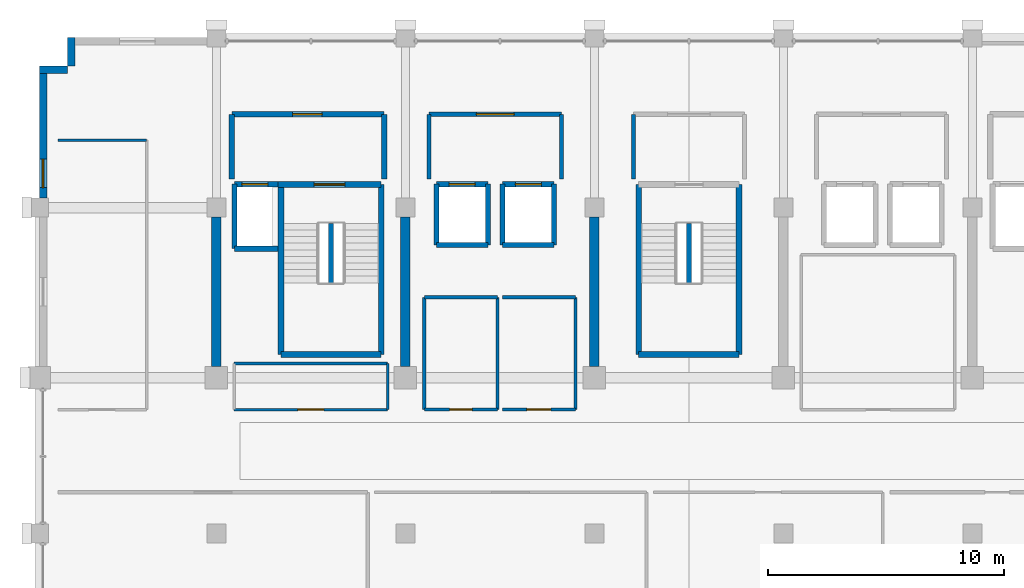
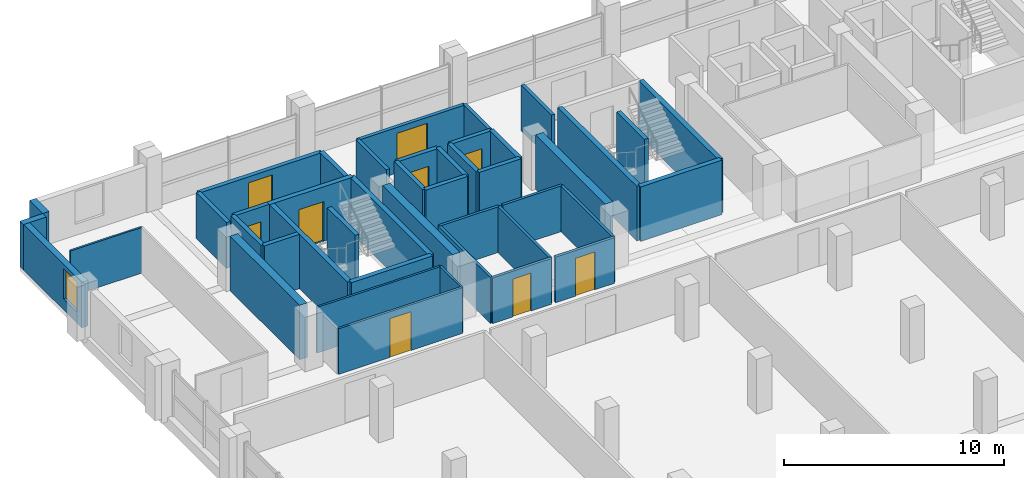
# One storey, part 20 of 23: 44 walls, 9 doors, 1 window, 10 openings.
"""IFC4 building model written with IfcOpenShell, lengths in metres."""

from ifc_helpers import new_model, si_unit, direction, frame, frame_2d, origin, place, context, subcontext, project, spatial, rectangle, extrude, material, layer, layer_set, type_object, element, fill, save


model = new_model("IFC4")

# Units and contexts
model_context = context("Model", 3, precision=1e-05, world=origin(), true_north=direction((0.0, 1.0)))
body_context = subcontext(model_context, "Body", "Model", "MODEL_VIEW")
ifc_project = project(units=[si_unit("LENGTHUNIT", "METRE"), si_unit("AREAUNIT", "SQUARE_METRE"), si_unit("VOLUMEUNIT", "CUBIC_METRE"), si_unit("PLANEANGLEUNIT", "RADIAN"), si_unit("MASSUNIT", "GRAM", prefix="KILO")], contexts=[model_context])

# Site, building, storey
site_placement = place(None, origin())
site = spatial("IfcSite", under=ifc_project, at=site_placement, CompositionType="ELEMENT")
building_placement = place(site_placement, origin())
building = spatial("IfcBuilding", under=site, at=building_placement, Name="Akrevak Sports Hall", CompositionType="ELEMENT")
storey_placement = place(building_placement, frame((0.0, 0.0, 47.050048828125)))
storey = spatial("IfcBuildingStorey", under=building, at=storey_placement, Name="L11", CompositionType="ELEMENT", Elevation=47.050048828125)

# Walls
ifc_material_1 = material(Name="Limestone Ashlar", Category="stone")
ifc_layer_1 = layer(ifc_material_1, 0.070068359375, Name="Limestone Ashlar")
ifc_material_2 = material(Name="Mineral Wool Thermal Insulation", Category="insulation")
ifc_layer_2 = layer(ifc_material_2, 0.090087890625, Name="Mineral Wool Thermal Insulation")
ifc_material_3 = material(Name="Concrete C40/50", Category="concrete")
ifc_layer_3 = layer(ifc_material_3, 0.159912109375, Name="Concrete C40/50")
ifc_layer_set_1 = layer_set([ifc_layer_1, ifc_layer_2, ifc_layer_3], Name="Limestone Ashlar / Mineral Wool Thermal Insulation / Concrete C40/50")
wall_type_1 = type_object("IfcWallType", Name="ARC-WL-EXT-320", PredefinedType="SOLIDWALL", material=ifc_layer_set_1)
wall_1_placement = place(storey_placement, frame((53.860107421875, 69.60009765625, 0.0), z_axis=(0.0, 0.0, 1.0), x_axis=(0.0, -1.0, 0.0)))
element("IfcWall", 1, at=wall_1_placement, inside=storey, type_object=wall_type_1, Name="Tower Stone Facade Wall L11-W26", PredefinedType="SOLIDWALL", context=body_context, shape_type="SweptSolid", body=[
    extrude(rectangle(XDim=1.2001953125, YDim=0.320068359375, at=frame_2d((0.60009765625, 0.0))), origin(), (0.0, 0.0, 1.0), 2.530029296875),
])
wall_2_placement = place(storey_placement, frame((53.699951171875, 68.239990234375, 0.0), z_axis=(0.0, 0.0, 1.0), x_axis=(-1.0, 0.0, 0.0)))
element("IfcWall", 2, at=wall_2_placement, inside=storey, type_object=wall_type_1, Name="Tower Stone Facade Wall L11-N27", PredefinedType="SOLIDWALL", context=body_context, shape_type="SweptSolid", body=[
    extrude(rectangle(XDim=1.199951171875, YDim=0.320068359375, at=frame_2d((0.60009765625, 0.0))), origin(), (0.0, 0.0, 1.0), 2.530029296875),
])

# Wall, opening, window
wall_3_placement = place(storey_placement, frame((52.659912109375, 68.39990234375, 0.0), z_axis=(0.0, 0.0, 1.0), x_axis=(0.0, -1.0, 0.0)))
wall_3 = element("IfcWall", 3, at=wall_3_placement, inside=storey, type_object=wall_type_1, Name="Tower Stone Facade Wall L11-W28", PredefinedType="SOLIDWALL", context=body_context, shape_type="SweptSolid", body=[
    extrude(rectangle(XDim=5.599853515625, YDim=0.320068359375, at=frame_2d((2.7998046875, 0.0))), origin(), (0.0, 0.0, 1.0), 2.530029296875),
])
opening_1_placement = place(wall_3_placement, frame((3.949951171875, 0.0, 0.6201171875)))
opening_1 = element("IfcOpeningElement", 4, at=opening_1_placement, cuts=wall_3, Name="Opening WN-45", PredefinedType="OPENING", context=body_context, shape_type="SweptSolid", body=[
    extrude(rectangle(XDim=1.199951171875, YDim=1.64990234375, at=frame_2d((0.60009765625, 0.824951171875))), frame((0.0, 0.171875, 0.0), z_axis=(0.0, -1.0, 0.0), x_axis=(1.0, 0.0, 0.0)), (0.0, 0.0, 1.0), 0.343994140625),
])
ifc_material_4 = material(Name="Thermally Broken Bronze Frame & Double Low-E Glass", Category="glass")
window_type = type_object("IfcWindowType", Name="ARC-WIN-SZ-1200x1650", PartitioningType="SINGLE_PANEL", PredefinedType="WINDOW", material=ifc_material_4)
window_placement = place(opening_1_placement, origin())
window = element("IfcWindow", 5, at=window_placement, inside=storey, type_object=window_type, Name="Tower Window L11-W28", OverallHeight=1.64990234375, OverallWidth=1.199951171875, PartitioningType="SINGLE_PANEL", PredefinedType="WINDOW", context=body_context, shape_type="SweptSolid", body=[
    extrude(rectangle(XDim=1.199951171875, YDim=1.64990234375, at=frame_2d((0.60009765625, 0.824951171875))), frame((0.0, 0.030029296875, 0.0), z_axis=(0.0, -1.0, 0.0), x_axis=(1.0, 0.0, 0.0)), (0.0, 0.0, 1.0), 0.06005859375),
])
fill(opening_1, window)

# Wall
ifc_material_5 = material(Name="Sanitary Cubicle Partition", Category="gypsum")
ifc_layer_4 = layer(ifc_material_5, 0.10009765625, Name="Sanitary Cubicle Partition")
ifc_layer_set_2 = layer_set([ifc_layer_4], Name="Sanitary Cubicle Partition")
wall_type_2 = type_object("IfcWallType", Name="ARC-WL-PRT-100", PredefinedType="PARTITIONING", material=ifc_layer_set_2)
wall_4_placement = place(storey_placement, frame((53.300048828125, 65.25, 0.0), z_axis=(0.0, 0.0, 1.0), x_axis=(1.0, 0.0, 0.0)))
element("IfcWall", 6, at=wall_4_placement, inside=storey, type_object=wall_type_2, Name="Interior Partition Federation Research Office L11-W1 (N)", PredefinedType="PARTITIONING", context=body_context, shape_type="SweptSolid", body=[
    extrude(rectangle(XDim=3.75, YDim=0.10009765625, at=frame_2d((1.875, 0.0))), origin(), (0.0, 0.0, 1.0), 2.530029296875),
])

# Wall, opening, door
ifc_material_6 = material(Name="Lightweight Office Partition", Category="gypsum")
ifc_layer_5 = layer(ifc_material_6, 0.110107421875, Name="Lightweight Office Partition")
ifc_layer_set_3 = layer_set([ifc_layer_5], Name="Lightweight Office Partition")
wall_type_3 = type_object("IfcWallType", Name="ARC-WL-PRT-110", PredefinedType="PARTITIONING", material=ifc_layer_set_3)
wall_5_placement = place(storey_placement, frame((60.75, 53.85009765625, 0.0), z_axis=(0.0, 0.0, 1.0), x_axis=(1.0, 0.0, 0.0)))
wall_5 = element("IfcWall", 7, at=wall_5_placement, inside=storey, type_object=wall_type_3, Name="Interior Partition Federation Technical Office L11-CW (S)", PredefinedType="PARTITIONING", context=body_context, shape_type="SweptSolid", body=[
    extrude(rectangle(XDim=6.5, YDim=0.110107421875, at=frame_2d((3.25, 0.0))), origin(), (0.0, 0.0, 1.0), 2.530029296875),
])
opening_2_placement = place(wall_5_placement, frame((2.699951171875, 0.0, 0.0)))
opening_2 = element("IfcOpeningElement", 8, at=opening_2_placement, cuts=wall_5, Name="Opening ID-04", PredefinedType="OPENING", context=body_context, shape_type="SweptSolid", body=[
    extrude(rectangle(XDim=1.10009765625, YDim=2.14990234375, at=frame_2d((0.550048828125, 1.074951171875))), frame((0.0, 0.06689453125, 0.0), z_axis=(0.0, -1.0, 0.0), x_axis=(1.0, 0.0, 0.0)), (0.0, 0.0, 1.0), 0.134033203125),
])
ifc_material_7 = material(Name="Hardwood Oak Acoustic Leaf", Category="wood")
door_type_1 = type_object("IfcDoorType", Name="ARC-DR-OFF-110x215", OperationType="NOTDEFINED", PredefinedType="DOOR", material=ifc_material_7)
door_1_placement = place(opening_2_placement, frame((1.10009765625, 0.0, 0.0), z_axis=(0.0, 0.0, 1.0), x_axis=(-1.0, 0.0, 0.0)))
door_1 = element("IfcDoor", 9, at=door_1_placement, inside=storey, type_object=door_type_1, Name="Door to Federation Technical Office L11-CW", OperationType="SINGLE_SWING_RIGHT", OverallHeight=2.14990234375, OverallWidth=1.10009765625, PredefinedType="DOOR", context=body_context, shape_type="SweptSolid", body=[
    extrude(rectangle(XDim=1.10009765625, YDim=2.14990234375, at=frame_2d((0.550048828125, 1.074951171875))), frame((0.0, 0.02490234375, 0.0), z_axis=(0.0, -1.0, 0.0), x_axis=(1.0, 0.0, 0.0)), (0.0, 0.0, 1.0), 0.050048828125),
])
fill(opening_2, door_1)

# Walls
wall_6_placement = place(storey_placement, frame((60.75, 55.800048828125, 0.0), z_axis=(0.0, 0.0, 1.0), x_axis=(1.0, 0.0, 0.0)))
element("IfcWall", 10, at=wall_6_placement, inside=storey, type_object=wall_type_3, Name="Interior Partition Federation Technical Office L11-CW (N)", PredefinedType="PARTITIONING", context=body_context, shape_type="SweptSolid", body=[
    extrude(rectangle(XDim=6.5, YDim=0.110107421875, at=frame_2d((3.25, 0.0))), origin(), (0.0, 0.0, 1.0), 2.530029296875),
])
wall_7_placement = place(storey_placement, frame((67.25, 53.85009765625, 0.0), z_axis=(0.0, 0.0, 1.0), x_axis=(0.0, 1.0, 0.0)))
element("IfcWall", 11, at=wall_7_placement, inside=storey, type_object=wall_type_3, Name="Interior Partition Federation Technical Office L11-CW (E)", PredefinedType="PARTITIONING", context=body_context, shape_type="SweptSolid", body=[
    extrude(rectangle(XDim=1.949951171875, YDim=0.110107421875, at=frame_2d((0.97509765625, 0.0))), origin(), (0.0, 0.0, 1.0), 2.530029296875),
])

# Wall, opening, door
ifc_material_8 = material(Name="Moisture-Resistant Wet-Area Partition", Category="gypsum")
ifc_layer_6 = layer(ifc_material_8, 0.139892578125, Name="Moisture-Resistant Wet-Area Partition")
ifc_layer_set_4 = layer_set([ifc_layer_6], Name="Moisture-Resistant Wet-Area Partition")
wall_type_4 = type_object("IfcWallType", Name="ARC-WL-PRT-140", PredefinedType="PARTITIONING", material=ifc_layer_set_4)
wall_8_placement = place(storey_placement, frame((68.800048828125, 53.85009765625, 0.0), z_axis=(0.0, 0.0, 1.0), x_axis=(1.0, 0.0, 0.0)))
wall_8 = element("IfcWall", 12, at=wall_8_placement, inside=storey, type_object=wall_type_4, Name="Interior Partition Men WC L11 (S)", PredefinedType="PARTITIONING", context=body_context, shape_type="SweptSolid", body=[
    extrude(rectangle(XDim=3.099853515625, YDim=0.139892578125, at=frame_2d((1.5498046875, 0.0))), origin(), (0.0, 0.0, 1.0), 2.530029296875),
])
opening_3_placement = place(wall_8_placement, frame((1.074951171875, 0.0, 0.0)))
opening_3 = element("IfcOpeningElement", 13, at=opening_3_placement, cuts=wall_8, Name="Opening ID-08", PredefinedType="OPENING", context=body_context, shape_type="SweptSolid", body=[
    extrude(rectangle(XDim=0.949951171875, YDim=2.10009765625, at=frame_2d((0.47509765625, 1.050048828125))), frame((0.0, 0.08203125, 0.0), z_axis=(0.0, -1.0, 0.0), x_axis=(1.0, 0.0, 0.0)), (0.0, 0.0, 1.0), 0.163818359375),
])
ifc_material_9 = material(Name="High-Pressure Laminate & Aluminium", Category="aluminium")
door_type_2 = type_object("IfcDoorType", Name="ARC-DR-WC-095x210", OperationType="NOTDEFINED", PredefinedType="DOOR", material=ifc_material_9)
door_2_placement = place(opening_3_placement, frame((0.949951171875, 0.0, 0.0), z_axis=(0.0, 0.0, 1.0), x_axis=(-1.0, 0.0, 0.0)))
door_2 = element("IfcDoor", 14, at=door_2_placement, inside=storey, type_object=door_type_2, Name="Door to Men WC L11", OperationType="SINGLE_SWING_RIGHT", OverallHeight=2.10009765625, OverallWidth=0.949951171875, PredefinedType="DOOR", context=body_context, shape_type="SweptSolid", body=[
    extrude(rectangle(XDim=0.949951171875, YDim=2.10009765625, at=frame_2d((0.47509765625, 1.050048828125))), frame((0.0, 0.02490234375, 0.0), z_axis=(0.0, -1.0, 0.0), x_axis=(1.0, 0.0, 0.0)), (0.0, 0.0, 1.0), 0.050048828125),
])
fill(opening_3, door_2)

# Walls
wall_9_placement = place(storey_placement, frame((68.800048828125, 58.60009765625, 0.0), z_axis=(0.0, 0.0, 1.0), x_axis=(1.0, 0.0, 0.0)))
element("IfcWall", 15, at=wall_9_placement, inside=storey, type_object=wall_type_4, Name="Interior Partition Men WC L11 (N)", PredefinedType="PARTITIONING", context=body_context, shape_type="SweptSolid", body=[
    extrude(rectangle(XDim=3.099853515625, YDim=0.139892578125, at=frame_2d((1.5498046875, 0.0))), origin(), (0.0, 0.0, 1.0), 2.530029296875),
])
for number, where, z_axis, x_axis, name in (
    (16, (68.800048828125, 53.85009765625, 0.0), (0.0, 0.0, 1.0), (0.0, 1.0, 0.0), "Interior Partition Men WC L11 (W)"),
    (17, (71.89990234375, 53.85009765625, 0.0), (0.0, 0.0, 1.0), (0.0, 1.0, 0.0), "Interior Partition Men WC L11 (E)"),
):
    element("IfcWall", number, at=place(storey_placement, frame(where, z_axis=z_axis, x_axis=x_axis)), inside=storey, type_object=wall_type_4, Name=name, PredefinedType="PARTITIONING", context=body_context, shape_type="SweptSolid", body=[
        extrude(rectangle(XDim=4.75, YDim=0.139892578125, at=frame_2d((2.375, 0.0))), origin(), (0.0, 0.0, 1.0), 2.530029296875),
    ])

# Wall, opening, door
wall_10_placement = place(storey_placement, frame((72.10009765625, 53.85009765625, 0.0), z_axis=(0.0, 0.0, 1.0), x_axis=(1.0, 0.0, 0.0)))
wall_10 = element("IfcWall", 18, at=wall_10_placement, inside=storey, type_object=wall_type_4, Name="Interior Partition Accessible WC L11 (S)", PredefinedType="PARTITIONING", context=body_context, shape_type="SweptSolid", body=[
    extrude(rectangle(XDim=3.099853515625, YDim=0.139892578125, at=frame_2d((1.5498046875, 0.0))), origin(), (0.0, 0.0, 1.0), 2.530029296875),
])
opening_4_placement = place(wall_10_placement, frame((1.0400390625, 0.0, 0.0)))
opening_4 = element("IfcOpeningElement", 19, at=opening_4_placement, cuts=wall_10, Name="Opening ID-09", PredefinedType="OPENING", context=body_context, shape_type="SweptSolid", body=[
    extrude(rectangle(XDim=1.02001953125, YDim=2.10009765625, at=frame_2d((0.510009765625, 1.050048828125))), frame((0.0, 0.08203125, 0.0), z_axis=(0.0, -1.0, 0.0), x_axis=(1.0, 0.0, 0.0)), (0.0, 0.0, 1.0), 0.163818359375),
])
door_type_3 = type_object("IfcDoorType", Name="ARC-DR-AWC-102x210", OperationType="NOTDEFINED", PredefinedType="DOOR", material=ifc_material_9)
door_3_placement = place(opening_4_placement, origin())
door_3 = element("IfcDoor", 20, at=door_3_placement, inside=storey, type_object=door_type_3, Name="Door to Accessible WC L11", OperationType="SINGLE_SWING_LEFT", OverallHeight=2.10009765625, OverallWidth=1.02001953125, PredefinedType="DOOR", context=body_context, shape_type="SweptSolid", body=[
    extrude(rectangle(XDim=1.02001953125, YDim=2.10009765625, at=frame_2d((0.510009765625, 1.050048828125))), frame((0.0, 0.02490234375, 0.0), z_axis=(0.0, -1.0, 0.0), x_axis=(1.0, 0.0, 0.0)), (0.0, 0.0, 1.0), 0.050048828125),
])
fill(opening_4, door_3)

# Walls
wall_11_placement = place(storey_placement, frame((72.10009765625, 58.60009765625, 0.0), z_axis=(0.0, 0.0, 1.0), x_axis=(1.0, 0.0, 0.0)))
element("IfcWall", 21, at=wall_11_placement, inside=storey, type_object=wall_type_4, Name="Interior Partition Accessible WC L11 (N)", PredefinedType="PARTITIONING", context=body_context, shape_type="SweptSolid", body=[
    extrude(rectangle(XDim=3.099853515625, YDim=0.139892578125, at=frame_2d((1.5498046875, 0.0))), origin(), (0.0, 0.0, 1.0), 2.530029296875),
])
wall_12_placement = place(storey_placement, frame((75.199951171875, 53.85009765625, 0.0), z_axis=(0.0, 0.0, 1.0), x_axis=(0.0, 1.0, 0.0)))
element("IfcWall", 22, at=wall_12_placement, inside=storey, type_object=wall_type_4, Name="Interior Partition Accessible WC L11 (E)", PredefinedType="PARTITIONING", context=body_context, shape_type="SweptSolid", body=[
    extrude(rectangle(XDim=4.75, YDim=0.139892578125, at=frame_2d((2.375, 0.0))), origin(), (0.0, 0.0, 1.0), 2.530029296875),
])

# Wall, opening, door
ifc_material_10 = material(Name="Autoclaved Aerated Masonry Block", Category="masonry")
ifc_layer_7 = layer(ifc_material_10, 0.179931640625, Name="Autoclaved Aerated Masonry Block")
ifc_layer_set_5 = layer_set([ifc_layer_7], Name="Autoclaved Aerated Masonry Block")
wall_type_5 = type_object("IfcWallType", Name="ARC-WL-PRT-180", PredefinedType="PARTITIONING", material=ifc_layer_set_5)
wall_13_placement = place(storey_placement, frame((69.0, 66.35009765625, 0.0), z_axis=(0.0, 0.0, 1.0), x_axis=(1.0, 0.0, 0.0)))
wall_13 = element("IfcWall", 23, at=wall_13_placement, inside=storey, type_object=wall_type_5, Name="Interior Partition West Passenger Lift Lobby L11 (N)", PredefinedType="PARTITIONING", context=body_context, shape_type="SweptSolid", body=[
    extrude(rectangle(XDim=5.60009765625, YDim=0.179931640625, at=frame_2d((2.800048828125, 0.0))), origin(), (0.0, 0.0, 1.0), 2.530029296875),
])
opening_5_placement = place(wall_13_placement, frame((2.0, 0.0, 0.0)))
opening_5 = element("IfcOpeningElement", 24, at=opening_5_placement, cuts=wall_13, Name="Opening ID-03", PredefinedType="OPENING", context=body_context, shape_type="SweptSolid", body=[
    extrude(rectangle(XDim=1.60009765625, YDim=2.199951171875, at=frame_2d((0.800048828125, 1.10009765625))), frame((0.0, 0.10205078125, 0.0), z_axis=(0.0, -1.0, 0.0), x_axis=(1.0, 0.0, 0.0)), (0.0, 0.0, 1.0), 0.203857421875),
])
ifc_material_11 = material(Name="Hardwood Oak & Safety Glass", Category="wood")
door_type_4 = type_object("IfcDoorType", Name="ARC-DR-HALL-160x220", OperationType="DOUBLE_DOOR_SINGLE_SWING", PredefinedType="DOOR", material=ifc_material_11)
door_4_placement = place(opening_5_placement, origin())
door_4 = element("IfcDoor", 25, at=door_4_placement, inside=storey, type_object=door_type_4, Name="Door to West Passenger Lift Lobby L11", OperationType="DOUBLE_DOOR_SINGLE_SWING", OverallHeight=2.199951171875, OverallWidth=1.60009765625, PredefinedType="DOOR", context=body_context, shape_type="SweptSolid", body=[
    extrude(rectangle(XDim=1.60009765625, YDim=2.199951171875, at=frame_2d((0.800048828125, 1.10009765625))), frame((0.0, 0.02490234375, 0.0), z_axis=(0.0, -1.0, 0.0), x_axis=(1.0, 0.0, 0.0)), (0.0, 0.0, 1.0), 0.050048828125),
])
fill(opening_5, door_4)

# Walls
for number, where, z_axis, x_axis, name in (
    (26, (69.0, 63.60009765625, 0.0), (0.0, 0.0, 1.0), (0.0, 1.0, 0.0), "Interior Partition West Passenger Lift Lobby L11 (W)"),
    (27, (74.60009765625, 63.60009765625, 0.0), (0.0, 0.0, 1.0), (0.0, 1.0, 0.0), "Interior Partition West Passenger Lift Lobby L11 (E)"),
    (28, (77.64990234375, 63.60009765625, 0.0), (0.0, 0.0, 1.0), (0.0, 1.0, 0.0), "Interior Partition Central Stair ST3 Vestibule L11 (W)"),
):
    element("IfcWall", number, at=place(storey_placement, frame(where, z_axis=z_axis, x_axis=x_axis)), inside=storey, type_object=wall_type_5, Name=name, PredefinedType="PARTITIONING", context=body_context, shape_type="SweptSolid", body=[
        extrude(rectangle(XDim=2.75, YDim=0.179931640625, at=frame_2d((1.375, 0.0))), origin(), (0.0, 0.0, 1.0), 2.530029296875),
    ])
ifc_layer_8 = layer(ifc_material_3, 0.219970703125, Name="Concrete C40/50")
ifc_layer_set_6 = layer_set([ifc_layer_8], Name="Concrete C40/50")
wall_type_6 = type_object("IfcWallType", Name="ARC-WL-PRT-220", PredefinedType="PARTITIONING", material=ifc_layer_set_6)
for number, where, z_axis, x_axis, name in (
    (29, (64.85009765625, 59.215087890625, 0.0), (0.0, 0.0, 1.0), (0.0, 1.0, 0.0), "Stair ST1 Central Spine Wall (L11)"),
    (30, (80.0, 59.215087890625, 0.0), (0.0, 0.0, 1.0), (0.0, 1.0, 0.0), "Stair ST3 Central Spine Wall (L11)"),
):
    element("IfcWall", number, at=place(storey_placement, frame(where, z_axis=z_axis, x_axis=x_axis)), inside=storey, type_object=wall_type_6, Name=name, PredefinedType="PARTITIONING", context=body_context, shape_type="SweptSolid", body=[
        extrude(rectangle(XDim=2.52001953125, YDim=0.219970703125, at=frame_2d((1.260009765625, 0.0))), origin(), (0.0, 0.0, 1.0), 3.02001953125),
    ])

# Wall, opening, door
wall_14_placement = place(storey_placement, frame((60.64990234375, 66.35009765625, 0.0), z_axis=(0.0, 0.0, 1.0), x_axis=(1.0, 0.0, 0.0)))
wall_14 = element("IfcWall", 31, at=wall_14_placement, inside=storey, type_object=wall_type_6, Name="Interior Partition Firefighting Lobby West L11 (N)", PredefinedType="PARTITIONING", context=body_context, shape_type="SweptSolid", body=[
    extrude(rectangle(XDim=6.4501953125, YDim=0.219970703125, at=frame_2d((3.22509765625, 0.0))), origin(), (0.0, 0.0, 1.0), 2.530029296875),
])
opening_6_placement = place(wall_14_placement, frame((2.574951171875, 0.0, 0.0)))
opening_6 = element("IfcOpeningElement", 32, at=opening_6_placement, cuts=wall_14, Name="Opening FD-01", PredefinedType="OPENING", context=body_context, shape_type="SweptSolid", body=[
    extrude(rectangle(XDim=1.25, YDim=2.199951171875, at=frame_2d((0.625, 1.10009765625))), frame((0.0, 0.1220703125, 0.0), z_axis=(0.0, -1.0, 0.0), x_axis=(1.0, 0.0, 0.0)), (0.0, 0.0, 1.0), 0.243896484375),
])
ifc_material_12 = material(Name="Fire-Rated Galvanized Door Steel", Category="steel")
door_type_5 = type_object("IfcDoorType", Name="ARC-DR-FFL-125x220", OperationType="NOTDEFINED", PredefinedType="DOOR", material=ifc_material_12)
door_5_placement = place(opening_6_placement, frame((1.25, 0.0, 0.0), z_axis=(0.0, 0.0, 1.0), x_axis=(-1.0, 0.0, 0.0)))
door_5 = element("IfcDoor", 33, at=door_5_placement, inside=storey, type_object=door_type_5, Name="Door to Firefighting Lobby West L11", OperationType="SINGLE_SWING_RIGHT", OverallHeight=2.199951171875, OverallWidth=1.25, PredefinedType="DOOR", context=body_context, shape_type="SweptSolid", body=[
    extrude(rectangle(XDim=1.25, YDim=2.199951171875, at=frame_2d((0.625, 1.10009765625))), frame((0.0, 0.02490234375, 0.0), z_axis=(0.0, -1.0, 0.0), x_axis=(1.0, 0.0, 0.0)), (0.0, 0.0, 1.0), 0.050048828125),
])
fill(opening_6, door_5)

# Walls
for number, where, z_axis, x_axis, name in (
    (34, (60.64990234375, 63.60009765625, 0.0), (0.0, 0.0, 1.0), (0.0, 1.0, 0.0), "Interior Partition Firefighting Lobby West L11 (W)"),
    (35, (67.10009765625, 63.60009765625, 0.0), (0.0, 0.0, 1.0), (0.0, 1.0, 0.0), "Interior Partition Firefighting Lobby West L11 (E)"),
):
    element("IfcWall", number, at=place(storey_placement, frame(where, z_axis=z_axis, x_axis=x_axis)), inside=storey, type_object=wall_type_6, Name=name, PredefinedType="PARTITIONING", context=body_context, shape_type="SweptSolid", body=[
        extrude(rectangle(XDim=2.75, YDim=0.219970703125, at=frame_2d((1.375, 0.0))), origin(), (0.0, 0.0, 1.0), 2.530029296875),
    ])
ifc_material_13 = material(Name="Concrete C50/60", Category="concrete")
ifc_layer_9 = layer(ifc_material_13, 0.219970703125, Name="Concrete C50/60")
ifc_layer_set_7 = layer_set([ifc_layer_9], Name="Concrete C50/60")
wall_type_7 = type_object("IfcWallType", Name="ARC-WL-SHAFT-220", PredefinedType="SHEAR", material=ifc_layer_set_7)
wall_15_placement = place(storey_placement, frame((60.760009765625, 60.659912109375, 0.0), z_axis=(0.0, 0.0, 1.0), x_axis=(1.0, 0.0, 0.0)))
element("IfcWall", 36, at=wall_15_placement, inside=storey, type_object=wall_type_7, Name="Lift Shaft LF-FF1 Wall S (L11)", PredefinedType="SHEAR", context=body_context, shape_type="SweptSolid", body=[
    extrude(rectangle(XDim=1.840087890625, YDim=0.219970703125, at=frame_2d((0.919921875, 0.0))), origin(), (0.0, 0.0, 1.0), 3.02001953125),
])

# Wall, opening, door
wall_16_placement = place(storey_placement, frame((62.60009765625, 63.389892578125, 0.0), z_axis=(0.0, 0.0, 1.0), x_axis=(-1.0, 0.0, 0.0)))
wall_16 = element("IfcWall", 37, at=wall_16_placement, inside=storey, type_object=wall_type_7, Name="Lift Shaft LF-FF1 Wall N (L11)", PredefinedType="SHEAR", context=body_context, shape_type="SweptSolid", body=[
    extrude(rectangle(XDim=1.840087890625, YDim=0.219970703125, at=frame_2d((0.919921875, 0.0))), origin(), (0.0, 0.0, 1.0), 3.02001953125),
])
opening_7_placement = place(wall_16_placement, frame((0.425048828125, 0.0, 0.0)))
opening_7 = element("IfcOpeningElement", 38, at=opening_7_placement, cuts=wall_16, Name="Opening LD-01", PredefinedType="OPENING", context=body_context, shape_type="SweptSolid", body=[
    extrude(rectangle(XDim=1.10009765625, YDim=2.199951171875, at=frame_2d((0.550048828125, 1.10009765625))), frame((0.0, 0.1220703125, 0.0), z_axis=(0.0, -1.0, 0.0), x_axis=(1.0, 0.0, 0.0)), (0.0, 0.0, 1.0), 0.243896484375),
])
ifc_material_14 = material(Name="Brushed Stainless Steel 304", Category="steel")
door_type_6 = type_object("IfcDoorType", Name="ARC-DR-LD-110x220", OperationType="SLIDING_TO_LEFT", PredefinedType="DOOR", material=ifc_material_14)
door_6_placement = place(opening_7_placement, origin())
door_6 = element("IfcDoor", 39, at=door_6_placement, inside=storey, type_object=door_type_6, Name="Lift LF-FF1 Sliding Landing Door (L11)", OperationType="SLIDING_TO_RIGHT", OverallHeight=2.199951171875, OverallWidth=1.10009765625, PredefinedType="DOOR", context=body_context, shape_type="SweptSolid", body=[
    extrude(rectangle(XDim=1.10009765625, YDim=2.199951171875, at=frame_2d((0.550048828125, 1.10009765625))), frame((0.0, 0.02490234375, 0.0), z_axis=(0.0, -1.0, 0.0), x_axis=(1.0, 0.0, 0.0)), (0.0, 0.0, 1.0), 0.050048828125),
])
fill(opening_7, door_6)

# Walls
wall_17_placement = place(storey_placement, frame((60.760009765625, 63.389892578125, 0.0), z_axis=(0.0, 0.0, 1.0), x_axis=(0.0, -1.0, 0.0)))
element("IfcWall", 40, at=wall_17_placement, inside=storey, type_object=wall_type_7, Name="Lift Shaft LF-FF1 Wall W (L11)", PredefinedType="SHEAR", context=body_context, shape_type="SweptSolid", body=[
    extrude(rectangle(XDim=2.72998046875, YDim=0.219970703125, at=frame_2d((1.364990234375, 0.0))), origin(), (0.0, 0.0, 1.0), 3.02001953125),
])
wall_18_placement = place(storey_placement, frame((69.31005859375, 60.81005859375, 0.0), z_axis=(0.0, 0.0, 1.0), x_axis=(1.0, 0.0, 0.0)))
element("IfcWall", 41, at=wall_18_placement, inside=storey, type_object=wall_type_7, Name="Lift Shaft LF-P1 Wall S (L11)", PredefinedType="SHEAR", context=body_context, shape_type="SweptSolid", body=[
    extrude(rectangle(XDim=2.179931640625, YDim=0.219970703125, at=frame_2d((1.08984375, 0.0))), origin(), (0.0, 0.0, 1.0), 3.02001953125),
])

# Wall, opening, door
wall_19_placement = place(storey_placement, frame((71.489990234375, 63.389892578125, 0.0), z_axis=(0.0, 0.0, 1.0), x_axis=(-1.0, 0.0, 0.0)))
wall_19 = element("IfcWall", 42, at=wall_19_placement, inside=storey, type_object=wall_type_7, Name="Lift Shaft LF-P1 Wall N (L11)", PredefinedType="SHEAR", context=body_context, shape_type="SweptSolid", body=[
    extrude(rectangle(XDim=2.179931640625, YDim=0.219970703125, at=frame_2d((1.08984375, 0.0))), origin(), (0.0, 0.0, 1.0), 3.02001953125),
])
opening_8_placement = place(wall_19_placement, frame((0.5400390625, 0.0, 0.0)))
opening_8 = element("IfcOpeningElement", 43, at=opening_8_placement, cuts=wall_19, Name="Opening LD-01", PredefinedType="OPENING", context=body_context, shape_type="SweptSolid", body=[
    extrude(rectangle(XDim=1.10009765625, YDim=2.199951171875, at=frame_2d((0.550048828125, 1.10009765625))), frame((0.0, 0.1220703125, 0.0), z_axis=(0.0, -1.0, 0.0), x_axis=(1.0, 0.0, 0.0)), (0.0, 0.0, 1.0), 0.243896484375),
])
door_7_placement = place(opening_8_placement, origin())
door_7 = element("IfcDoor", 44, at=door_7_placement, inside=storey, type_object=door_type_6, Name="Lift LF-P1 Sliding Landing Door (L11)", OperationType="SLIDING_TO_RIGHT", OverallHeight=2.199951171875, OverallWidth=1.10009765625, PredefinedType="DOOR", context=body_context, shape_type="SweptSolid", body=[
    extrude(rectangle(XDim=1.10009765625, YDim=2.199951171875, at=frame_2d((0.550048828125, 1.10009765625))), frame((0.0, 0.02490234375, 0.0), z_axis=(0.0, -1.0, 0.0), x_axis=(1.0, 0.0, 0.0)), (0.0, 0.0, 1.0), 0.050048828125),
])
fill(opening_8, door_7)

# Walls
for number, where, z_axis, x_axis, name in (
    (45, (69.31005859375, 63.389892578125, 0.0), (0.0, 0.0, 1.0), (0.0, -1.0, 0.0), "Lift Shaft LF-P1 Wall W (L11)"),
    (46, (71.489990234375, 60.81005859375, 0.0), (0.0, 0.0, 1.0), (0.0, 1.0, 0.0), "Lift Shaft LF-P1 Wall E (L11)"),
):
    element("IfcWall", number, at=place(storey_placement, frame(where, z_axis=z_axis, x_axis=x_axis)), inside=storey, type_object=wall_type_7, Name=name, PredefinedType="SHEAR", context=body_context, shape_type="SweptSolid", body=[
        extrude(rectangle(XDim=2.579833984375, YDim=0.219970703125, at=frame_2d((1.2900390625, 0.0))), origin(), (0.0, 0.0, 1.0), 3.02001953125),
    ])
wall_20_placement = place(storey_placement, frame((72.110107421875, 60.81005859375, 0.0), z_axis=(0.0, 0.0, 1.0), x_axis=(1.0, 0.0, 0.0)))
element("IfcWall", 47, at=wall_20_placement, inside=storey, type_object=wall_type_7, Name="Lift Shaft LF-P2 Wall S (L11)", PredefinedType="SHEAR", context=body_context, shape_type="SweptSolid", body=[
    extrude(rectangle(XDim=2.179931640625, YDim=0.219970703125, at=frame_2d((1.08984375, 0.0))), origin(), (0.0, 0.0, 1.0), 3.02001953125),
])

# Wall, opening, door
wall_21_placement = place(storey_placement, frame((74.2900390625, 63.389892578125, 0.0), z_axis=(0.0, 0.0, 1.0), x_axis=(-1.0, 0.0, 0.0)))
wall_21 = element("IfcWall", 48, at=wall_21_placement, inside=storey, type_object=wall_type_7, Name="Lift Shaft LF-P2 Wall N (L11)", PredefinedType="SHEAR", context=body_context, shape_type="SweptSolid", body=[
    extrude(rectangle(XDim=2.179931640625, YDim=0.219970703125, at=frame_2d((1.08984375, 0.0))), origin(), (0.0, 0.0, 1.0), 3.02001953125),
])
opening_9_placement = place(wall_21_placement, frame((0.5400390625, 0.0, 0.0)))
opening_9 = element("IfcOpeningElement", 49, at=opening_9_placement, cuts=wall_21, Name="Opening LD-01", PredefinedType="OPENING", context=body_context, shape_type="SweptSolid", body=[
    extrude(rectangle(XDim=1.10009765625, YDim=2.199951171875, at=frame_2d((0.550048828125, 1.10009765625))), frame((0.0, 0.1220703125, 0.0), z_axis=(0.0, -1.0, 0.0), x_axis=(1.0, 0.0, 0.0)), (0.0, 0.0, 1.0), 0.243896484375),
])
door_8_placement = place(opening_9_placement, origin())
door_8 = element("IfcDoor", 50, at=door_8_placement, inside=storey, type_object=door_type_6, Name="Lift LF-P2 Sliding Landing Door (L11)", OperationType="SLIDING_TO_RIGHT", OverallHeight=2.199951171875, OverallWidth=1.10009765625, PredefinedType="DOOR", context=body_context, shape_type="SweptSolid", body=[
    extrude(rectangle(XDim=1.10009765625, YDim=2.199951171875, at=frame_2d((0.550048828125, 1.10009765625))), frame((0.0, 0.02490234375, 0.0), z_axis=(0.0, -1.0, 0.0), x_axis=(1.0, 0.0, 0.0)), (0.0, 0.0, 1.0), 0.050048828125),
])
fill(opening_9, door_8)

# Walls
for number, where, z_axis, x_axis, name in (
    (51, (72.110107421875, 63.389892578125, 0.0), (0.0, 0.0, 1.0), (0.0, -1.0, 0.0), "Lift Shaft LF-P2 Wall W (L11)"),
    (52, (74.2900390625, 60.81005859375, 0.0), (0.0, 0.0, 1.0), (0.0, 1.0, 0.0), "Lift Shaft LF-P2 Wall E (L11)"),
):
    element("IfcWall", number, at=place(storey_placement, frame(where, z_axis=z_axis, x_axis=x_axis)), inside=storey, type_object=wall_type_7, Name=name, PredefinedType="SHEAR", context=body_context, shape_type="SweptSolid", body=[
        extrude(rectangle(XDim=2.579833984375, YDim=0.219970703125, at=frame_2d((1.2900390625, 0.0))), origin(), (0.0, 0.0, 1.0), 3.02001953125),
    ])
ifc_layer_10 = layer(ifc_material_13, 0.39990234375, Name="Concrete C50/60")
ifc_layer_set_8 = layer_set([ifc_layer_10], Name="Concrete C50/60")
wall_type_8 = type_object("IfcWallType", Name="STR-WL-CORE-400", PredefinedType="SHEAR", material=ifc_layer_set_8)
for number, where, z_axis, x_axis, name in (
    (53, (60.0, 55.675048828125, 0.0), (0.0, 0.0, 1.0), (0.0, 1.0, 0.0), "Reinforced Concrete Shear Wall SW-W2 (L11)"),
    (54, (68.0, 55.675048828125, 0.0), (0.0, 0.0, 1.0), (0.0, 1.0, 0.0), "Reinforced Concrete Shear Wall SW-C1 (L11)"),
    (55, (76.0, 55.675048828125, 0.0), (0.0, 0.0, 1.0), (0.0, 1.0, 0.0), "Reinforced Concrete Shear Wall SW-W1 (L11)"),
):
    element("IfcWall", number, at=place(storey_placement, frame(where, z_axis=z_axis, x_axis=x_axis)), inside=storey, type_object=wall_type_8, Name=name, PredefinedType="SHEAR", context=body_context, shape_type="SweptSolid", body=[
        extrude(rectangle(XDim=6.324951171875, YDim=0.39990234375, at=frame_2d((3.16259765625, 0.0))), origin(), (0.0, 0.0, 1.0), 3.02001953125),
    ])
ifc_layer_11 = layer(ifc_material_13, 0.25, Name="Concrete C50/60")
ifc_layer_set_9 = layer_set([ifc_layer_11], Name="Concrete C50/60")
wall_type_9 = type_object("IfcWallType", Name="STR-WL-STAIR-250", PredefinedType="SHEAR", material=ifc_layer_set_9)
wall_22_placement = place(storey_placement, frame((62.72509765625, 56.175048828125, 0.0), z_axis=(0.0, 0.0, 1.0), x_axis=(1.0, 0.0, 0.0)))
element("IfcWall", 56, at=wall_22_placement, inside=storey, type_object=wall_type_9, Name="Stair Core ST1 Shear Wall S (L11)", PredefinedType="SHEAR", context=body_context, shape_type="SweptSolid", body=[
    extrude(rectangle(XDim=4.25, YDim=0.25, at=frame_2d((2.125, 0.0))), origin(), (0.0, 0.0, 1.0), 3.02001953125),
])

# Wall, opening, door
wall_23_placement = place(storey_placement, frame((66.97509765625, 63.375, 0.0), z_axis=(0.0, 0.0, 1.0), x_axis=(-1.0, 0.0, 0.0)))
wall_23 = element("IfcWall", 57, at=wall_23_placement, inside=storey, type_object=wall_type_9, Name="Stair Core ST1 Shear Wall N (L11)", PredefinedType="SHEAR", context=body_context, shape_type="SweptSolid", body=[
    extrude(rectangle(XDim=4.375, YDim=0.25, at=frame_2d((2.1875, 0.0))), origin(), (0.0, 0.0, 1.0), 3.02001953125),
])
opening_10_placement = place(wall_23_placement, frame((1.53759765625, 0.0, 0.0)))
opening_10 = element("IfcOpeningElement", 58, at=opening_10_placement, cuts=wall_23, Name="Opening SD-01", PredefinedType="OPENING", context=body_context, shape_type="SweptSolid", body=[
    extrude(rectangle(XDim=1.300048828125, YDim=2.199951171875, at=frame_2d((0.64990234375, 1.10009765625))), frame((0.0, 0.136962890625, 0.0), z_axis=(0.0, -1.0, 0.0), x_axis=(1.0, 0.0, 0.0)), (0.0, 0.0, 1.0), 0.27392578125),
])
door_type_7 = type_object("IfcDoorType", Name="ARC-DR-STAIR-130x220", OperationType="NOTDEFINED", PredefinedType="DOOR", material=ifc_material_12)
door_9_placement = place(opening_10_placement, origin())
door_9 = element("IfcDoor", 59, at=door_9_placement, inside=storey, type_object=door_type_7, Name="Exit Stair ST1 Door (L11)", OperationType="SINGLE_SWING_LEFT", OverallHeight=2.199951171875, OverallWidth=1.300048828125, PredefinedType="DOOR", context=body_context, shape_type="SweptSolid", body=[
    extrude(rectangle(XDim=1.300048828125, YDim=2.199951171875, at=frame_2d((0.64990234375, 1.10009765625))), frame((0.0, 0.02490234375, 0.0), z_axis=(0.0, -1.0, 0.0), x_axis=(1.0, 0.0, 0.0)), (0.0, 0.0, 1.0), 0.050048828125),
])
fill(opening_10, door_9)

# Walls
wall_24_placement = place(storey_placement, frame((62.72509765625, 63.25, 0.0), z_axis=(0.0, 0.0, 1.0), x_axis=(0.0, -1.0, 0.0)))
element("IfcWall", 60, at=wall_24_placement, inside=storey, type_object=wall_type_9, Name="Stair Core ST1 Shear Wall W (L11)", PredefinedType="SHEAR", context=body_context, shape_type="SweptSolid", body=[
    extrude(rectangle(XDim=7.074951171875, YDim=0.25, at=frame_2d((3.53759765625, 0.0))), origin(), (0.0, 0.0, 1.0), 3.02001953125),
])
wall_25_placement = place(storey_placement, frame((66.97509765625, 56.175048828125, 0.0), z_axis=(0.0, 0.0, 1.0), x_axis=(0.0, 1.0, 0.0)))
element("IfcWall", 61, at=wall_25_placement, inside=storey, type_object=wall_type_9, Name="Stair Core ST1 Shear Wall E (L11)", PredefinedType="SHEAR", context=body_context, shape_type="SweptSolid", body=[
    extrude(rectangle(XDim=7.199951171875, YDim=0.25, at=frame_2d((3.60009765625, 0.0))), origin(), (0.0, 0.0, 1.0), 3.02001953125),
])
wall_26_placement = place(storey_placement, frame((77.875, 56.175048828125, 0.0), z_axis=(0.0, 0.0, 1.0), x_axis=(1.0, 0.0, 0.0)))
element("IfcWall", 62, at=wall_26_placement, inside=storey, type_object=wall_type_9, Name="Stair Core ST3 Shear Wall S (L11)", PredefinedType="SHEAR", context=body_context, shape_type="SweptSolid", body=[
    extrude(rectangle(XDim=4.25, YDim=0.25, at=frame_2d((2.125, 0.0))), origin(), (0.0, 0.0, 1.0), 3.02001953125),
])
for number, where, z_axis, x_axis, name in (
    (63, (77.875, 63.375, 0.0), (0.0, 0.0, 1.0), (0.0, -1.0, 0.0), "Stair Core ST3 Shear Wall W (L11)"),
    (64, (82.125, 56.175048828125, 0.0), (0.0, 0.0, 1.0), (0.0, 1.0, 0.0), "Stair Core ST3 Shear Wall E (L11)"),
):
    element("IfcWall", number, at=place(storey_placement, frame(where, z_axis=z_axis, x_axis=x_axis)), inside=storey, type_object=wall_type_9, Name=name, PredefinedType="SHEAR", context=body_context, shape_type="SweptSolid", body=[
        extrude(rectangle(XDim=7.199951171875, YDim=0.25, at=frame_2d((3.60009765625, 0.0))), origin(), (0.0, 0.0, 1.0), 3.02001953125),
    ])

save(model, "model.ifc")
